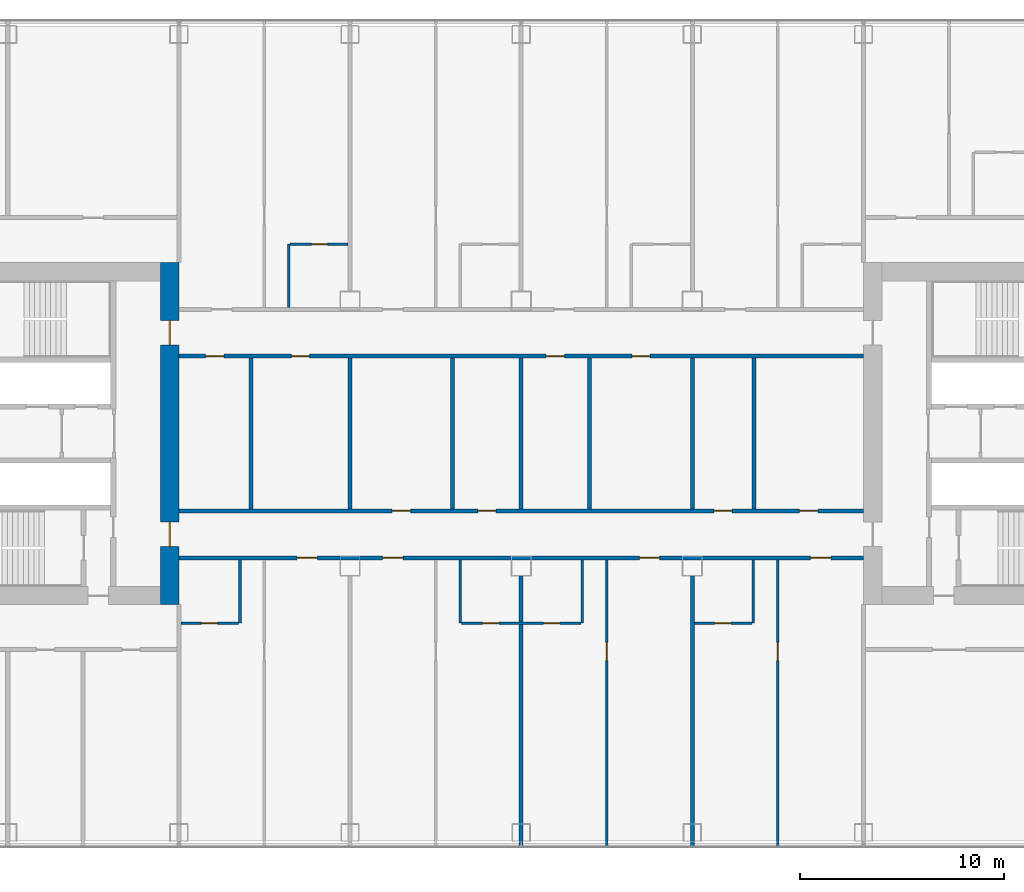
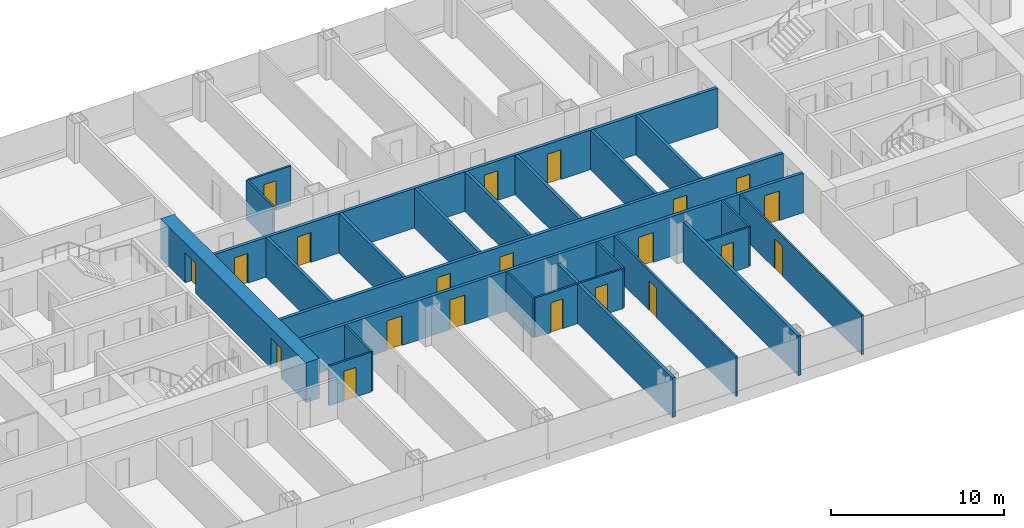
# One storey, part 15 of 28: 24 walls, 21 doors, 21 openings.
"""IFC4 building model written with IfcOpenShell, lengths in metres."""

from ifc_helpers import new_model, si_unit, direction, frame, frame_2d, origin, place, context, subcontext, project, spatial, rectangle, extrude, material, layer, layer_set, type_object, element, fill, save


model = new_model("IFC4")

# Units and contexts
model_context = context("Model", 3, precision=1e-05, world=origin(), true_north=direction((0.0, 1.0)))
body_context = subcontext(model_context, "Body", "Model", "MODEL_VIEW")
ifc_project = project(units=[si_unit("LENGTHUNIT", "METRE"), si_unit("AREAUNIT", "SQUARE_METRE"), si_unit("VOLUMEUNIT", "CUBIC_METRE"), si_unit("PLANEANGLEUNIT", "RADIAN"), si_unit("MASSUNIT", "GRAM", prefix="KILO")], contexts=[model_context])

# Site, building, storey
site_placement = place(None, origin())
site = spatial("IfcSite", under=ifc_project, at=site_placement, CompositionType="ELEMENT")
building_placement = place(site_placement, origin())
building = spatial("IfcBuilding", under=site, at=building_placement, Name="Hakoniwa Tower and Hamabe Station Hall", CompositionType="ELEMENT")
storey_placement = place(building_placement, frame((0.0, 0.0, 48.60009765625)))
storey = spatial("IfcBuildingStorey", under=building, at=storey_placement, Name="L13", CompositionType="ELEMENT", Elevation=48.60009765625)

# Wall, opening, door
ifc_material_1 = material(Name="Gypsum board partition", Category="gypsum")
ifc_layer_1 = layer(ifc_material_1, 0.125)
ifc_layer_set_1 = layer_set([ifc_layer_1], Name="Bathroom Partition 125")
wall_type_1 = type_object("IfcWallType", Name="Bathroom Partition 125", PredefinedType="PARTITIONING", material=ifc_layer_set_1)
wall_1_placement = place(storey_placement, frame((-16.699951171875, -9.300048828125, 0.0), z_axis=(0.0, 0.0, 1.0), x_axis=(1.0, 0.0, 0.0)))
wall_1 = element("IfcWall", 1, at=wall_1_placement, inside=storey, type_object=wall_type_1, Name="GW-L13-003", PredefinedType="PARTITIONING", context=body_context, shape_type="SweptSolid", body=[
    extrude(rectangle(XDim=2.83740234375, YDim=0.125, at=frame_2d((1.418701171875, 0.0))), origin(), (0.0, 0.0, 1.0), 2.7998046875),
])
opening_1_placement = place(wall_1_placement, frame((1.0, 0.0, 0.0)))
opening_1 = element("IfcOpeningElement", 2, at=opening_1_placement, cuts=wall_1, Name="Opening GD-G1E1-12", PredefinedType="OPENING", context=body_context, shape_type="SweptSolid", body=[
    extrude(rectangle(XDim=0.800048828125, YDim=2.10009765625, at=frame_2d((0.39990234375, 1.050048828125))), frame((0.0, 0.072509765625, 0.0), z_axis=(0.0, -1.0, 0.0), x_axis=(1.0, 0.0, 0.0)), (0.0, 0.0, 1.0), 0.14501953125),
])
ifc_material_2 = material(Name="Timber door leaf", Category="wood")
door_type_1 = type_object("IfcDoorType", Name="Bathroom Door 800", OperationType="SINGLE_SWING_LEFT", PredefinedType="DOOR", material=ifc_material_2)
door_1_placement = place(opening_1_placement, origin())
door_1 = element("IfcDoor", 3, at=door_1_placement, inside=storey, type_object=door_type_1, Name="Door GD-G1E1-12", OperationType="SINGLE_SWING_LEFT", OverallHeight=2.10009765625, OverallWidth=0.800048828125, PredefinedType="DOOR", context=body_context, shape_type="SweptSolid", body=[
    extrude(rectangle(XDim=0.800048828125, YDim=2.10009765625, at=frame_2d((0.39990234375, 1.050048828125))), frame((0.0, 0.02490234375, 0.0), z_axis=(0.0, -1.0, 0.0), x_axis=(1.0, 0.0, 0.0)), (0.0, 0.0, 1.0), 0.050048828125),
])
fill(opening_1, door_1)

# Wall, openings, doors
wall_2_placement = place(storey_placement, frame((-2.9375, -9.300048828125, 0.0), z_axis=(0.0, 0.0, 1.0), x_axis=(1.0, 0.0, 0.0)))
wall_2 = element("IfcWall", 4, at=wall_2_placement, inside=storey, type_object=wall_type_1, Name="GW-L13-004", PredefinedType="PARTITIONING", context=body_context, shape_type="SweptSolid", body=[
    extrude(rectangle(XDim=5.875, YDim=0.125, at=frame_2d((2.9375, 0.0))), origin(), (0.0, 0.0, 1.0), 2.7998046875),
])
opening_2_placement = place(wall_2_placement, frame((1.03759765625, 0.0, 0.0)))
opening_2 = element("IfcOpeningElement", 5, at=opening_2_placement, cuts=wall_2, Name="Opening GD-G1E1-13", PredefinedType="OPENING", context=body_context, shape_type="SweptSolid", body=[
    extrude(rectangle(XDim=0.800048828125, YDim=2.10009765625, at=frame_2d((0.39990234375, 1.050048828125))), frame((0.0, 0.072509765625, 0.0), z_axis=(0.0, -1.0, 0.0), x_axis=(1.0, 0.0, 0.0)), (0.0, 0.0, 1.0), 0.14501953125),
])
opening_3_placement = place(wall_2_placement, frame((4.03759765625, 0.0, 0.0)))
opening_3 = element("IfcOpeningElement", 6, at=opening_3_placement, cuts=wall_2, Name="Opening GD-G1E1-14", PredefinedType="OPENING", context=body_context, shape_type="SweptSolid", body=[
    extrude(rectangle(XDim=0.800048828125, YDim=2.10009765625, at=frame_2d((0.39990234375, 1.050048828125))), frame((0.0, 0.072509765625, 0.0), z_axis=(0.0, -1.0, 0.0), x_axis=(1.0, 0.0, 0.0)), (0.0, 0.0, 1.0), 0.14501953125),
])
door_2_placement = place(opening_2_placement, origin())
door_2 = element("IfcDoor", 7, at=door_2_placement, inside=storey, type_object=door_type_1, Name="Door GD-G1E1-13", OperationType="SINGLE_SWING_RIGHT", OverallHeight=2.10009765625, OverallWidth=0.800048828125, PredefinedType="DOOR", context=body_context, shape_type="SweptSolid", body=[
    extrude(rectangle(XDim=0.800048828125, YDim=2.10009765625, at=frame_2d((0.39990234375, 1.050048828125))), frame((0.0, 0.02490234375, 0.0), z_axis=(0.0, -1.0, 0.0), x_axis=(1.0, 0.0, 0.0)), (0.0, 0.0, 1.0), 0.050048828125),
])
fill(opening_2, door_2)
door_3_placement = place(opening_3_placement, origin())
door_3 = element("IfcDoor", 8, at=door_3_placement, inside=storey, type_object=door_type_1, Name="Door GD-G1E1-14", OperationType="SINGLE_SWING_LEFT", OverallHeight=2.10009765625, OverallWidth=0.800048828125, PredefinedType="DOOR", context=body_context, shape_type="SweptSolid", body=[
    extrude(rectangle(XDim=0.800048828125, YDim=2.10009765625, at=frame_2d((0.39990234375, 1.050048828125))), frame((0.0, 0.02490234375, 0.0), z_axis=(0.0, -1.0, 0.0), x_axis=(1.0, 0.0, 0.0)), (0.0, 0.0, 1.0), 0.050048828125),
])
fill(opening_3, door_3)

# Wall, opening, door
wall_3_placement = place(storey_placement, frame((8.5, -9.300048828125, 0.0), z_axis=(0.0, 0.0, 1.0), x_axis=(1.0, 0.0, 0.0)))
wall_3 = element("IfcWall", 9, at=wall_3_placement, inside=storey, type_object=wall_type_1, Name="GW-L13-005", PredefinedType="PARTITIONING", context=body_context, shape_type="SweptSolid", body=[
    extrude(rectangle(XDim=2.83740234375, YDim=0.125, at=frame_2d((1.418701171875, 0.0))), origin(), (0.0, 0.0, 1.0), 2.7998046875),
])
opening_4_placement = place(wall_3_placement, frame((1.0, 0.0, 0.0)))
opening_4 = element("IfcOpeningElement", 10, at=opening_4_placement, cuts=wall_3, Name="Opening GD-G1E1-15", PredefinedType="OPENING", context=body_context, shape_type="SweptSolid", body=[
    extrude(rectangle(XDim=0.800048828125, YDim=2.10009765625, at=frame_2d((0.39990234375, 1.050048828125))), frame((0.0, 0.072509765625, 0.0), z_axis=(0.0, -1.0, 0.0), x_axis=(1.0, 0.0, 0.0)), (0.0, 0.0, 1.0), 0.14501953125),
])
door_4_placement = place(opening_4_placement, origin())
door_4 = element("IfcDoor", 11, at=door_4_placement, inside=storey, type_object=door_type_1, Name="Door GD-G1E1-15", OperationType="SINGLE_SWING_RIGHT", OverallHeight=2.10009765625, OverallWidth=0.800048828125, PredefinedType="DOOR", context=body_context, shape_type="SweptSolid", body=[
    extrude(rectangle(XDim=0.800048828125, YDim=2.10009765625, at=frame_2d((0.39990234375, 1.050048828125))), frame((0.0, 0.02490234375, 0.0), z_axis=(0.0, -1.0, 0.0), x_axis=(1.0, 0.0, 0.0)), (0.0, 0.0, 1.0), 0.050048828125),
])
fill(opening_4, door_4)

wall_4_placement = place(storey_placement, frame((-11.33740234375, 9.300048828125, 0.0), z_axis=(0.0, 0.0, 1.0), x_axis=(1.0, 0.0, 0.0)))
wall_4 = element("IfcWall", 12, at=wall_4_placement, inside=storey, type_object=wall_type_1, Name="GW-L13-023", PredefinedType="PARTITIONING", context=body_context, shape_type="SweptSolid", body=[
    extrude(rectangle(XDim=2.83740234375, YDim=0.125, at=frame_2d((1.418701171875, 0.0))), origin(), (0.0, 0.0, 1.0), 2.7998046875),
])
opening_5_placement = place(wall_4_placement, frame((1.03759765625, 0.0, 0.0)))
opening_5 = element("IfcOpeningElement", 13, at=opening_5_placement, cuts=wall_4, Name="Opening GD-G1E1-47", PredefinedType="OPENING", context=body_context, shape_type="SweptSolid", body=[
    extrude(rectangle(XDim=0.800048828125, YDim=2.10009765625, at=frame_2d((0.39990234375, 1.050048828125))), frame((0.0, 0.072509765625, 0.0), z_axis=(0.0, -1.0, 0.0), x_axis=(1.0, 0.0, 0.0)), (0.0, 0.0, 1.0), 0.14501953125),
])
door_5_placement = place(opening_5_placement, origin())
door_5 = element("IfcDoor", 14, at=door_5_placement, inside=storey, type_object=door_type_1, Name="Door GD-G1E1-47", OperationType="SINGLE_SWING_RIGHT", OverallHeight=2.10009765625, OverallWidth=0.800048828125, PredefinedType="DOOR", context=body_context, shape_type="SweptSolid", body=[
    extrude(rectangle(XDim=0.800048828125, YDim=2.10009765625, at=frame_2d((0.39990234375, 1.050048828125))), frame((0.0, 0.02490234375, 0.0), z_axis=(0.0, -1.0, 0.0), x_axis=(1.0, 0.0, 0.0)), (0.0, 0.0, 1.0), 0.050048828125),
])
fill(opening_5, door_5)

# Walls
for number, where, z_axis, x_axis, name in (
    (15, (-13.800048828125, -9.300048828125, 0.0), (0.0, 0.0, 1.0), (0.0, 1.0, 0.0), "GW-L13-051"),
    (16, (-11.39990234375, 6.199951171875, 0.0), (0.0, 0.0, 1.0), (0.0, 1.0, 0.0), "GW-L13-055"),
    (17, (-3.0, -9.300048828125, 0.0), (0.0, 0.0, 1.0), (0.0, 1.0, 0.0), "GW-L13-062"),
    (18, (3.0, -9.300048828125, 0.0), (0.0, 0.0, 1.0), (0.0, 1.0, 0.0), "GW-L13-067"),
    (19, (11.39990234375, -9.300048828125, 0.0), (0.0, 0.0, 1.0), (0.0, 1.0, 0.0), "GW-L13-075"),
):
    element("IfcWall", number, at=place(storey_placement, frame(where, z_axis=z_axis, x_axis=x_axis)), inside=storey, type_object=wall_type_1, Name=name, PredefinedType="PARTITIONING", context=body_context, shape_type="SweptSolid", body=[
        extrude(rectangle(XDim=3.10009765625, YDim=0.125, at=frame_2d((1.550048828125, 0.0))), origin(), (0.0, 0.0, 1.0), 2.7998046875),
    ])

# Wall, openings, doors
ifc_material_3 = material(Name="Concrete C80", Category="concrete")
ifc_layer_2 = layer(ifc_material_3, 0.89990234375)
ifc_layer_set_2 = layer_set([ifc_layer_2], Name="CORE WALL 900 C80")
wall_type_2 = type_object("IfcWallType", Name="CORE WALL 900 C80", PredefinedType="SHEAR", material=ifc_layer_set_2)
wall_5_placement = place(storey_placement, frame((-17.25, -8.39990234375, 0.0), z_axis=(0.0, 0.0, 1.0), x_axis=(0.0, 1.0, 0.0)))
wall_5 = element("IfcWall", 20, at=wall_5_placement, inside=storey, type_object=wall_type_2, Name="Core wall INNER west", PredefinedType="SHEAR", context=body_context, shape_type="SweptSolid", body=[
    extrude(rectangle(XDim=16.7998046875, YDim=0.89990234375, at=frame_2d((8.39990234375, 0.0))), origin(), (0.0, 0.0, 1.0), 2.7998046875),
])
opening_6_placement = place(wall_5_placement, frame((12.75, 0.0, 0.0)))
opening_6 = element("IfcOpeningElement", 21, at=opening_6_placement, cuts=wall_5, Name="Opening CD-W-IN1-12", PredefinedType="OPENING", context=body_context, shape_type="SweptSolid", body=[
    extrude(rectangle(XDim=1.199951171875, YDim=2.10009765625, at=frame_2d((0.60009765625, 1.050048828125))), frame((0.0, 0.4599609375, 0.0), z_axis=(0.0, -1.0, 0.0), x_axis=(1.0, 0.0, 0.0)), (0.0, 0.0, 1.0), 0.919921875),
])
opening_7_placement = place(wall_5_placement, frame((2.85009765625, 0.0, 0.0)))
opening_7 = element("IfcOpeningElement", 22, at=opening_7_placement, cuts=wall_5, Name="Opening CD-W-IN2-12", PredefinedType="OPENING", context=body_context, shape_type="SweptSolid", body=[
    extrude(rectangle(XDim=1.199951171875, YDim=2.10009765625, at=frame_2d((0.60009765625, 1.050048828125))), frame((0.0, 0.4599609375, 0.0), z_axis=(0.0, -1.0, 0.0), x_axis=(1.0, 0.0, 0.0)), (0.0, 0.0, 1.0), 0.919921875),
])
ifc_material_4 = material(Name="Steel fire door", Category="steel")
door_type_2 = type_object("IfcDoorType", Name="CORE DOOR 1200 FD60", OperationType="DOUBLE_DOOR_SINGLE_SWING", PredefinedType="DOOR", material=ifc_material_4)
door_6_placement = place(opening_6_placement, origin())
door_6 = element("IfcDoor", 23, at=door_6_placement, inside=storey, type_object=door_type_2, Name="Lift lobby door", OperationType="DOUBLE_DOOR_SINGLE_SWING", OverallHeight=2.10009765625, OverallWidth=1.199951171875, PredefinedType="DOOR", context=body_context, shape_type="SweptSolid", body=[
    extrude(rectangle(XDim=1.199951171875, YDim=2.10009765625, at=frame_2d((0.60009765625, 1.050048828125))), frame((0.0, 0.02490234375, 0.0), z_axis=(0.0, -1.0, 0.0), x_axis=(1.0, 0.0, 0.0)), (0.0, 0.0, 1.0), 0.050048828125),
])
fill(opening_6, door_6)
door_7_placement = place(opening_7_placement, origin())
door_7 = element("IfcDoor", 24, at=door_7_placement, inside=storey, type_object=door_type_2, Name="Lift lobby door", OperationType="DOUBLE_DOOR_SINGLE_SWING", OverallHeight=2.10009765625, OverallWidth=1.199951171875, PredefinedType="DOOR", context=body_context, shape_type="SweptSolid", body=[
    extrude(rectangle(XDim=1.199951171875, YDim=2.10009765625, at=frame_2d((0.60009765625, 1.050048828125))), frame((0.0, 0.02490234375, 0.0), z_axis=(0.0, -1.0, 0.0), x_axis=(1.0, 0.0, 0.0)), (0.0, 0.0, 1.0), 0.050048828125),
])
fill(opening_7, door_7)

ifc_material_5 = material(Name="Fire-rated gypsum board partition", Category="gypsum")
ifc_layer_3 = layer(ifc_material_5, 0.199951171875)
ifc_layer_set_3 = layer_set([ifc_layer_3], Name="Corridor Wall 200")
wall_type_3 = type_object("IfcWallType", Name="Corridor Wall 200", PredefinedType="PARTITIONING", material=ifc_layer_set_3)
wall_6_placement = place(storey_placement, frame((-16.800048828125, -6.10009765625, 0.0), z_axis=(0.0, 0.0, 1.0), x_axis=(1.0, 0.0, 0.0)))
wall_6 = element("IfcWall", 25, at=wall_6_placement, inside=storey, type_object=wall_type_3, Name="GW-L13-008", PredefinedType="PARTITIONING", context=body_context, shape_type="SweptSolid", body=[
    extrude(rectangle(XDim=33.60009765625, YDim=0.199951171875, at=frame_2d((16.800048828125, 0.0))), origin(), (0.0, 0.0, 1.0), 2.7998046875),
])
opening_8_placement = place(wall_6_placement, frame((5.800048828125, 0.0, 0.0)))
opening_8 = element("IfcOpeningElement", 26, at=opening_8_placement, cuts=wall_6, Name="Opening GD-G1E1-20", PredefinedType="OPENING", context=body_context, shape_type="SweptSolid", body=[
    extrude(rectangle(XDim=1.0, YDim=2.10009765625, at=frame_2d((0.5, 1.050048828125))), frame((0.0, 0.10986328125, 0.0), z_axis=(0.0, -1.0, 0.0), x_axis=(1.0, 0.0, 0.0)), (0.0, 0.0, 1.0), 0.219970703125),
])
opening_9_placement = place(wall_6_placement, frame((10.0, 0.0, 0.0)))
opening_9 = element("IfcOpeningElement", 27, at=opening_9_placement, cuts=wall_6, Name="Opening GD-G1E1-21", PredefinedType="OPENING", context=body_context, shape_type="SweptSolid", body=[
    extrude(rectangle(XDim=1.0, YDim=2.10009765625, at=frame_2d((0.5, 1.050048828125))), frame((0.0, 0.10986328125, 0.0), z_axis=(0.0, -1.0, 0.0), x_axis=(1.0, 0.0, 0.0)), (0.0, 0.0, 1.0), 0.219970703125),
])
opening_10_placement = place(wall_6_placement, frame((22.60009765625, 0.0, 0.0)))
opening_10 = element("IfcOpeningElement", 28, at=opening_10_placement, cuts=wall_6, Name="Opening GD-G1E1-22", PredefinedType="OPENING", context=body_context, shape_type="SweptSolid", body=[
    extrude(rectangle(XDim=1.0, YDim=2.10009765625, at=frame_2d((0.5, 1.050048828125))), frame((0.0, 0.10986328125, 0.0), z_axis=(0.0, -1.0, 0.0), x_axis=(1.0, 0.0, 0.0)), (0.0, 0.0, 1.0), 0.219970703125),
])
opening_11_placement = place(wall_6_placement, frame((31.0, 0.0, 0.0)))
opening_11 = element("IfcOpeningElement", 29, at=opening_11_placement, cuts=wall_6, Name="Opening GD-G1E1-23", PredefinedType="OPENING", context=body_context, shape_type="SweptSolid", body=[
    extrude(rectangle(XDim=1.0, YDim=2.10009765625, at=frame_2d((0.5, 1.050048828125))), frame((0.0, 0.10986328125, 0.0), z_axis=(0.0, -1.0, 0.0), x_axis=(1.0, 0.0, 0.0)), (0.0, 0.0, 1.0), 0.219970703125),
])
ifc_material_6 = material(Name="Timber door leaf", Category="wood")
door_type_3 = type_object("IfcDoorType", Name="Guest Entrance Door 1000", OperationType="SINGLE_SWING_LEFT", PredefinedType="DOOR", material=ifc_material_6)
door_8_placement = place(opening_8_placement, origin())
door_8 = element("IfcDoor", 30, at=door_8_placement, inside=storey, type_object=door_type_3, Name="Door GD-G1E1-20", OperationType="SINGLE_SWING_LEFT", OverallHeight=2.10009765625, OverallWidth=1.0, PredefinedType="DOOR", context=body_context, shape_type="SweptSolid", body=[
    extrude(rectangle(XDim=1.0, YDim=2.10009765625, at=frame_2d((0.5, 1.050048828125))), frame((0.0, 0.02490234375, 0.0), z_axis=(0.0, -1.0, 0.0), x_axis=(1.0, 0.0, 0.0)), (0.0, 0.0, 1.0), 0.050048828125),
])
fill(opening_8, door_8)
door_9_placement = place(opening_9_placement, origin())
door_9 = element("IfcDoor", 31, at=door_9_placement, inside=storey, type_object=door_type_3, Name="Door GD-G1E1-21", OperationType="SINGLE_SWING_RIGHT", OverallHeight=2.10009765625, OverallWidth=1.0, PredefinedType="DOOR", context=body_context, shape_type="SweptSolid", body=[
    extrude(rectangle(XDim=1.0, YDim=2.10009765625, at=frame_2d((0.5, 1.050048828125))), frame((0.0, 0.02490234375, 0.0), z_axis=(0.0, -1.0, 0.0), x_axis=(1.0, 0.0, 0.0)), (0.0, 0.0, 1.0), 0.050048828125),
])
fill(opening_9, door_9)
door_10_placement = place(opening_10_placement, origin())
door_10 = element("IfcDoor", 32, at=door_10_placement, inside=storey, type_object=door_type_3, Name="Door GD-G1E1-22", OperationType="SINGLE_SWING_LEFT", OverallHeight=2.10009765625, OverallWidth=1.0, PredefinedType="DOOR", context=body_context, shape_type="SweptSolid", body=[
    extrude(rectangle(XDim=1.0, YDim=2.10009765625, at=frame_2d((0.5, 1.050048828125))), frame((0.0, 0.02490234375, 0.0), z_axis=(0.0, -1.0, 0.0), x_axis=(1.0, 0.0, 0.0)), (0.0, 0.0, 1.0), 0.050048828125),
])
fill(opening_10, door_10)
door_11_placement = place(opening_11_placement, origin())
door_11 = element("IfcDoor", 33, at=door_11_placement, inside=storey, type_object=door_type_3, Name="Door GD-G1E1-23", OperationType="SINGLE_SWING_LEFT", OverallHeight=2.10009765625, OverallWidth=1.0, PredefinedType="DOOR", context=body_context, shape_type="SweptSolid", body=[
    extrude(rectangle(XDim=1.0, YDim=2.10009765625, at=frame_2d((0.5, 1.050048828125))), frame((0.0, 0.02490234375, 0.0), z_axis=(0.0, -1.0, 0.0), x_axis=(1.0, 0.0, 0.0)), (0.0, 0.0, 1.0), 0.050048828125),
])
fill(opening_11, door_11)

wall_7_placement = place(storey_placement, frame((-16.800048828125, -3.800048828125, 0.0), z_axis=(0.0, 0.0, 1.0), x_axis=(1.0, 0.0, 0.0)))
wall_7 = element("IfcWall", 34, at=wall_7_placement, inside=storey, type_object=wall_type_3, Name="GW-L13-013", PredefinedType="PARTITIONING", context=body_context, shape_type="SweptSolid", body=[
    extrude(rectangle(XDim=33.60009765625, YDim=0.199951171875, at=frame_2d((16.800048828125, 0.0))), origin(), (0.0, 0.0, 1.0), 2.7998046875),
])
opening_12_placement = place(wall_7_placement, frame((10.469970703125, 0.0, 0.0)))
opening_12 = element("IfcOpeningElement", 35, at=opening_12_placement, cuts=wall_7, Name="Opening GD-G1E1-27", PredefinedType="OPENING", context=body_context, shape_type="SweptSolid", body=[
    extrude(rectangle(XDim=0.89990234375, YDim=2.10009765625, at=frame_2d((0.449951171875, 1.050048828125))), frame((0.0, 0.10986328125, 0.0), z_axis=(0.0, -1.0, 0.0), x_axis=(1.0, 0.0, 0.0)), (0.0, 0.0, 1.0), 0.219970703125),
])
opening_13_placement = place(wall_7_placement, frame((14.669921875, 0.0, 0.0)))
opening_13 = element("IfcOpeningElement", 36, at=opening_13_placement, cuts=wall_7, Name="Opening GD-G1E1-28", PredefinedType="OPENING", context=body_context, shape_type="SweptSolid", body=[
    extrude(rectangle(XDim=0.89990234375, YDim=2.10009765625, at=frame_2d((0.449951171875, 1.050048828125))), frame((0.0, 0.10986328125, 0.0), z_axis=(0.0, -1.0, 0.0), x_axis=(1.0, 0.0, 0.0)), (0.0, 0.0, 1.0), 0.219970703125),
])
opening_14_placement = place(wall_7_placement, frame((26.260009765625, 0.0, 0.0)))
opening_14 = element("IfcOpeningElement", 37, at=opening_14_placement, cuts=wall_7, Name="Opening GD-G1E1-29", PredefinedType="OPENING", context=body_context, shape_type="SweptSolid", body=[
    extrude(rectangle(XDim=0.89990234375, YDim=2.10009765625, at=frame_2d((0.449951171875, 1.050048828125))), frame((0.0, 0.10986328125, 0.0), z_axis=(0.0, -1.0, 0.0), x_axis=(1.0, 0.0, 0.0)), (0.0, 0.0, 1.0), 0.219970703125),
])
opening_15_placement = place(wall_7_placement, frame((30.4599609375, 0.0, 0.0)))
opening_15 = element("IfcOpeningElement", 38, at=opening_15_placement, cuts=wall_7, Name="Opening GD-G1E1-30", PredefinedType="OPENING", context=body_context, shape_type="SweptSolid", body=[
    extrude(rectangle(XDim=0.89990234375, YDim=2.10009765625, at=frame_2d((0.449951171875, 1.050048828125))), frame((0.0, 0.10986328125, 0.0), z_axis=(0.0, -1.0, 0.0), x_axis=(1.0, 0.0, 0.0)), (0.0, 0.0, 1.0), 0.219970703125),
])
ifc_material_7 = material(Name="Timber door leaf", Category="wood")
door_type_4 = type_object("IfcDoorType", Name="Service Door 900", OperationType="SINGLE_SWING_LEFT", PredefinedType="DOOR", material=ifc_material_7)
door_12_placement = place(opening_12_placement, origin())
door_12 = element("IfcDoor", 39, at=door_12_placement, inside=storey, type_object=door_type_4, Name="Door GD-G1E1-27", OperationType="SINGLE_SWING_LEFT", OverallHeight=2.10009765625, OverallWidth=0.89990234375, PredefinedType="DOOR", context=body_context, shape_type="SweptSolid", body=[
    extrude(rectangle(XDim=0.89990234375, YDim=2.10009765625, at=frame_2d((0.449951171875, 1.050048828125))), frame((0.0, 0.02490234375, 0.0), z_axis=(0.0, -1.0, 0.0), x_axis=(1.0, 0.0, 0.0)), (0.0, 0.0, 1.0), 0.050048828125),
])
fill(opening_12, door_12)
door_13_placement = place(opening_13_placement, origin())
door_13 = element("IfcDoor", 40, at=door_13_placement, inside=storey, type_object=door_type_4, Name="Door GD-G1E1-28", OperationType="SINGLE_SWING_RIGHT", OverallHeight=2.10009765625, OverallWidth=0.89990234375, PredefinedType="DOOR", context=body_context, shape_type="SweptSolid", body=[
    extrude(rectangle(XDim=0.89990234375, YDim=2.10009765625, at=frame_2d((0.449951171875, 1.050048828125))), frame((0.0, 0.02490234375, 0.0), z_axis=(0.0, -1.0, 0.0), x_axis=(1.0, 0.0, 0.0)), (0.0, 0.0, 1.0), 0.050048828125),
])
fill(opening_13, door_13)
door_14_placement = place(opening_14_placement, origin())
door_14 = element("IfcDoor", 41, at=door_14_placement, inside=storey, type_object=door_type_4, Name="Door GD-G1E1-29", OperationType="SINGLE_SWING_LEFT", OverallHeight=2.10009765625, OverallWidth=0.89990234375, PredefinedType="DOOR", context=body_context, shape_type="SweptSolid", body=[
    extrude(rectangle(XDim=0.89990234375, YDim=2.10009765625, at=frame_2d((0.449951171875, 1.050048828125))), frame((0.0, 0.02490234375, 0.0), z_axis=(0.0, -1.0, 0.0), x_axis=(1.0, 0.0, 0.0)), (0.0, 0.0, 1.0), 0.050048828125),
])
fill(opening_14, door_14)
door_15_placement = place(opening_15_placement, origin())
door_15 = element("IfcDoor", 42, at=door_15_placement, inside=storey, type_object=door_type_4, Name="Door GD-G1E1-30", OperationType="SINGLE_SWING_LEFT", OverallHeight=2.10009765625, OverallWidth=0.89990234375, PredefinedType="DOOR", context=body_context, shape_type="SweptSolid", body=[
    extrude(rectangle(XDim=0.89990234375, YDim=2.10009765625, at=frame_2d((0.449951171875, 1.050048828125))), frame((0.0, 0.02490234375, 0.0), z_axis=(0.0, -1.0, 0.0), x_axis=(1.0, 0.0, 0.0)), (0.0, 0.0, 1.0), 0.050048828125),
])
fill(opening_15, door_15)

wall_8_placement = place(storey_placement, frame((-16.800048828125, 3.800048828125, 0.0), z_axis=(0.0, 0.0, 1.0), x_axis=(1.0, 0.0, 0.0)))
wall_8 = element("IfcWall", 43, at=wall_8_placement, inside=storey, type_object=wall_type_3, Name="GW-L13-016", PredefinedType="PARTITIONING", context=body_context, shape_type="SweptSolid", body=[
    extrude(rectangle(XDim=33.60009765625, YDim=0.199951171875, at=frame_2d((16.800048828125, 0.0))), origin(), (0.0, 0.0, 1.0), 2.7998046875),
])
opening_16_placement = place(wall_8_placement, frame((1.31494140625, 0.0, 0.0)))
opening_16 = element("IfcOpeningElement", 44, at=opening_16_placement, cuts=wall_8, Name="Opening GD-G1E1-31", PredefinedType="OPENING", context=body_context, shape_type="SweptSolid", body=[
    extrude(rectangle(XDim=0.89990234375, YDim=2.10009765625, at=frame_2d((0.449951171875, 1.050048828125))), frame((0.0, 0.10986328125, 0.0), z_axis=(0.0, -1.0, 0.0), x_axis=(1.0, 0.0, 0.0)), (0.0, 0.0, 1.0), 0.219970703125),
])
opening_17_placement = place(wall_8_placement, frame((5.514892578125, 0.0, 0.0)))
opening_17 = element("IfcOpeningElement", 45, at=opening_17_placement, cuts=wall_8, Name="Opening GD-G1E1-32", PredefinedType="OPENING", context=body_context, shape_type="SweptSolid", body=[
    extrude(rectangle(XDim=0.89990234375, YDim=2.10009765625, at=frame_2d((0.449951171875, 1.050048828125))), frame((0.0, 0.10986328125, 0.0), z_axis=(0.0, -1.0, 0.0), x_axis=(1.0, 0.0, 0.0)), (0.0, 0.0, 1.0), 0.219970703125),
])
opening_18_placement = place(wall_8_placement, frame((18.030029296875, 0.0, 0.0)))
opening_18 = element("IfcOpeningElement", 46, at=opening_18_placement, cuts=wall_8, Name="Opening GD-G1E1-33", PredefinedType="OPENING", context=body_context, shape_type="SweptSolid", body=[
    extrude(rectangle(XDim=0.89990234375, YDim=2.10009765625, at=frame_2d((0.449951171875, 1.050048828125))), frame((0.0, 0.10986328125, 0.0), z_axis=(0.0, -1.0, 0.0), x_axis=(1.0, 0.0, 0.0)), (0.0, 0.0, 1.0), 0.219970703125),
])
opening_19_placement = place(wall_8_placement, frame((22.22998046875, 0.0, 0.0)))
opening_19 = element("IfcOpeningElement", 47, at=opening_19_placement, cuts=wall_8, Name="Opening GD-G1E1-34", PredefinedType="OPENING", context=body_context, shape_type="SweptSolid", body=[
    extrude(rectangle(XDim=0.89990234375, YDim=2.10009765625, at=frame_2d((0.449951171875, 1.050048828125))), frame((0.0, 0.10986328125, 0.0), z_axis=(0.0, -1.0, 0.0), x_axis=(1.0, 0.0, 0.0)), (0.0, 0.0, 1.0), 0.219970703125),
])
door_16_placement = place(opening_16_placement, origin())
door_16 = element("IfcDoor", 48, at=door_16_placement, inside=storey, type_object=door_type_4, Name="Door GD-G1E1-31", OperationType="SINGLE_SWING_RIGHT", OverallHeight=2.10009765625, OverallWidth=0.89990234375, PredefinedType="DOOR", context=body_context, shape_type="SweptSolid", body=[
    extrude(rectangle(XDim=0.89990234375, YDim=2.10009765625, at=frame_2d((0.449951171875, 1.050048828125))), frame((0.0, 0.02490234375, 0.0), z_axis=(0.0, -1.0, 0.0), x_axis=(1.0, 0.0, 0.0)), (0.0, 0.0, 1.0), 0.050048828125),
])
fill(opening_16, door_16)
door_17_placement = place(opening_17_placement, origin())
door_17 = element("IfcDoor", 49, at=door_17_placement, inside=storey, type_object=door_type_4, Name="Door GD-G1E1-32", OperationType="SINGLE_SWING_RIGHT", OverallHeight=2.10009765625, OverallWidth=0.89990234375, PredefinedType="DOOR", context=body_context, shape_type="SweptSolid", body=[
    extrude(rectangle(XDim=0.89990234375, YDim=2.10009765625, at=frame_2d((0.449951171875, 1.050048828125))), frame((0.0, 0.02490234375, 0.0), z_axis=(0.0, -1.0, 0.0), x_axis=(1.0, 0.0, 0.0)), (0.0, 0.0, 1.0), 0.050048828125),
])
fill(opening_17, door_17)
door_18_placement = place(opening_18_placement, origin())
door_18 = element("IfcDoor", 50, at=door_18_placement, inside=storey, type_object=door_type_4, Name="Door GD-G1E1-33", OperationType="SINGLE_SWING_LEFT", OverallHeight=2.10009765625, OverallWidth=0.89990234375, PredefinedType="DOOR", context=body_context, shape_type="SweptSolid", body=[
    extrude(rectangle(XDim=0.89990234375, YDim=2.10009765625, at=frame_2d((0.449951171875, 1.050048828125))), frame((0.0, 0.02490234375, 0.0), z_axis=(0.0, -1.0, 0.0), x_axis=(1.0, 0.0, 0.0)), (0.0, 0.0, 1.0), 0.050048828125),
])
fill(opening_18, door_18)
door_19_placement = place(opening_19_placement, origin())
door_19 = element("IfcDoor", 51, at=door_19_placement, inside=storey, type_object=door_type_4, Name="Door GD-G1E1-34", OperationType="SINGLE_SWING_RIGHT", OverallHeight=2.10009765625, OverallWidth=0.89990234375, PredefinedType="DOOR", context=body_context, shape_type="SweptSolid", body=[
    extrude(rectangle(XDim=0.89990234375, YDim=2.10009765625, at=frame_2d((0.449951171875, 1.050048828125))), frame((0.0, 0.02490234375, 0.0), z_axis=(0.0, -1.0, 0.0), x_axis=(1.0, 0.0, 0.0)), (0.0, 0.0, 1.0), 0.050048828125),
])
fill(opening_19, door_19)

# Walls
ifc_material_8 = material(Name="Fire-rated gypsum board partition", Category="gypsum")
ifc_layer_4 = layer(ifc_material_8, 0.199951171875)
ifc_layer_set_4 = layer_set([ifc_layer_4], Name="Party Wall 200")
wall_type_4 = type_object("IfcWallType", Name="Party Wall 200", PredefinedType="PARTITIONING", material=ifc_layer_set_4)
for number, where, z_axis, x_axis, name in (
    (52, (-13.27001953125, -3.699951171875, 0.0), (0.0, 0.0, 1.0), (0.0, 1.0, 0.0), "GW-L13-052"),
    (53, (-8.39990234375, -3.699951171875, 0.0), (0.0, 0.0, 1.0), (0.0, 1.0, 0.0), "GW-L13-057"),
    (54, (-3.360107421875, -3.699951171875, 0.0), (0.0, 0.0, 1.0), (0.0, 1.0, 0.0), "GW-L13-061"),
):
    element("IfcWall", number, at=place(storey_placement, frame(where, z_axis=z_axis, x_axis=x_axis)), inside=storey, type_object=wall_type_4, Name=name, PredefinedType="PARTITIONING", context=body_context, shape_type="SweptSolid", body=[
        extrude(rectangle(XDim=7.39990234375, YDim=0.199951171875, at=frame_2d((3.699951171875, 0.0))), origin(), (0.0, 0.0, 1.0), 2.7998046875),
    ])
wall_9_placement = place(storey_placement, frame((0.0, -20.300048828125, 0.0), z_axis=(0.0, 0.0, 1.0), x_axis=(0.0, 1.0, 0.0)))
element("IfcWall", 55, at=wall_9_placement, inside=storey, type_object=wall_type_4, Name="GW-L13-064", PredefinedType="PARTITIONING", context=body_context, shape_type="SweptSolid", body=[
    extrude(rectangle(XDim=13.31005859375, YDim=0.199951171875, at=frame_2d((6.655029296875, 0.0))), origin(), (0.0, 0.0, 1.0), 2.7998046875),
])
for number, where, z_axis, x_axis, name in (
    (56, (0.0, -3.699951171875, 0.0), (0.0, 0.0, 1.0), (0.0, 1.0, 0.0), "GW-L13-065"),
    (57, (3.360107421875, -3.699951171875, 0.0), (0.0, 0.0, 1.0), (0.0, 1.0, 0.0), "GW-L13-068"),
):
    element("IfcWall", number, at=place(storey_placement, frame(where, z_axis=z_axis, x_axis=x_axis)), inside=storey, type_object=wall_type_4, Name=name, PredefinedType="PARTITIONING", context=body_context, shape_type="SweptSolid", body=[
        extrude(rectangle(XDim=7.39990234375, YDim=0.199951171875, at=frame_2d((3.699951171875, 0.0))), origin(), (0.0, 0.0, 1.0), 2.7998046875),
    ])
wall_10_placement = place(storey_placement, frame((8.39990234375, -20.300048828125, 0.0), z_axis=(0.0, 0.0, 1.0), x_axis=(0.0, 1.0, 0.0)))
element("IfcWall", 58, at=wall_10_placement, inside=storey, type_object=wall_type_4, Name="GW-L13-072", PredefinedType="PARTITIONING", context=body_context, shape_type="SweptSolid", body=[
    extrude(rectangle(XDim=13.31005859375, YDim=0.199951171875, at=frame_2d((6.655029296875, 0.0))), origin(), (0.0, 0.0, 1.0), 2.7998046875),
])
for number, where, z_axis, x_axis, name in (
    (59, (8.39990234375, -3.699951171875, 0.0), (0.0, 0.0, 1.0), (0.0, 1.0, 0.0), "GW-L13-073"),
    (60, (11.419921875, -3.699951171875, 0.0), (0.0, 0.0, 1.0), (0.0, 1.0, 0.0), "GW-L13-076"),
):
    element("IfcWall", number, at=place(storey_placement, frame(where, z_axis=z_axis, x_axis=x_axis)), inside=storey, type_object=wall_type_4, Name=name, PredefinedType="PARTITIONING", context=body_context, shape_type="SweptSolid", body=[
        extrude(rectangle(XDim=7.39990234375, YDim=0.199951171875, at=frame_2d((3.699951171875, 0.0))), origin(), (0.0, 0.0, 1.0), 2.7998046875),
    ])

# Wall, opening, door
ifc_material_9 = material(Name="Gypsum board partition", Category="gypsum")
ifc_layer_5 = layer(ifc_material_9, 0.125)
ifc_layer_set_5 = layer_set([ifc_layer_5], Name="Room Partition 125")
wall_type_5 = type_object("IfcWallType", Name="Room Partition 125", PredefinedType="PARTITIONING", material=ifc_layer_set_5)
wall_11_placement = place(storey_placement, frame((4.199951171875, -20.300048828125, 0.0), z_axis=(0.0, 0.0, 1.0), x_axis=(0.0, 1.0, 0.0)))
wall_11 = element("IfcWall", 61, at=wall_11_placement, inside=storey, type_object=wall_type_5, Name="GW-L13-069", PredefinedType="PARTITIONING", context=body_context, shape_type="SweptSolid", body=[
    extrude(rectangle(XDim=14.10009765625, YDim=0.125, at=frame_2d((7.050048828125, 0.0))), origin(), (0.0, 0.0, 1.0), 2.7998046875),
])
opening_20_placement = place(wall_11_placement, frame((9.14990234375, 0.0, 0.0)))
opening_20 = element("IfcOpeningElement", 62, at=opening_20_placement, cuts=wall_11, Name="Opening GD-G1E1-69", PredefinedType="OPENING", context=body_context, shape_type="SweptSolid", body=[
    extrude(rectangle(XDim=0.89990234375, YDim=2.10009765625, at=frame_2d((0.449951171875, 1.050048828125))), frame((0.0, 0.072509765625, 0.0), z_axis=(0.0, -1.0, 0.0), x_axis=(1.0, 0.0, 0.0)), (0.0, 0.0, 1.0), 0.14501953125),
])
ifc_material_10 = material(Name="Timber door leaf", Category="wood")
door_type_5 = type_object("IfcDoorType", Name="Suite Interior Door 900", OperationType="SINGLE_SWING_LEFT", PredefinedType="DOOR", material=ifc_material_10)
door_20_placement = place(opening_20_placement, origin())
door_20 = element("IfcDoor", 63, at=door_20_placement, inside=storey, type_object=door_type_5, Name="Door GD-G1E1-69", OperationType="SINGLE_SWING_LEFT", OverallHeight=2.10009765625, OverallWidth=0.89990234375, PredefinedType="DOOR", context=body_context, shape_type="SweptSolid", body=[
    extrude(rectangle(XDim=0.89990234375, YDim=2.10009765625, at=frame_2d((0.449951171875, 1.050048828125))), frame((0.0, 0.02490234375, 0.0), z_axis=(0.0, -1.0, 0.0), x_axis=(1.0, 0.0, 0.0)), (0.0, 0.0, 1.0), 0.050048828125),
])
fill(opening_20, door_20)

wall_12_placement = place(storey_placement, frame((12.60009765625, -20.300048828125, 0.0), z_axis=(0.0, 0.0, 1.0), x_axis=(0.0, 1.0, 0.0)))
wall_12 = element("IfcWall", 64, at=wall_12_placement, inside=storey, type_object=wall_type_5, Name="GW-L13-077", PredefinedType="PARTITIONING", context=body_context, shape_type="SweptSolid", body=[
    extrude(rectangle(XDim=14.10009765625, YDim=0.125, at=frame_2d((7.050048828125, 0.0))), origin(), (0.0, 0.0, 1.0), 2.7998046875),
])
opening_21_placement = place(wall_12_placement, frame((9.14990234375, 0.0, 0.0)))
opening_21 = element("IfcOpeningElement", 65, at=opening_21_placement, cuts=wall_12, Name="Opening GD-G1E1-71", PredefinedType="OPENING", context=body_context, shape_type="SweptSolid", body=[
    extrude(rectangle(XDim=0.89990234375, YDim=2.10009765625, at=frame_2d((0.449951171875, 1.050048828125))), frame((0.0, 0.072509765625, 0.0), z_axis=(0.0, -1.0, 0.0), x_axis=(1.0, 0.0, 0.0)), (0.0, 0.0, 1.0), 0.14501953125),
])
door_21_placement = place(opening_21_placement, origin())
door_21 = element("IfcDoor", 66, at=door_21_placement, inside=storey, type_object=door_type_5, Name="Door GD-G1E1-71", OperationType="SINGLE_SWING_RIGHT", OverallHeight=2.10009765625, OverallWidth=0.89990234375, PredefinedType="DOOR", context=body_context, shape_type="SweptSolid", body=[
    extrude(rectangle(XDim=0.89990234375, YDim=2.10009765625, at=frame_2d((0.449951171875, 1.050048828125))), frame((0.0, 0.02490234375, 0.0), z_axis=(0.0, -1.0, 0.0), x_axis=(1.0, 0.0, 0.0)), (0.0, 0.0, 1.0), 0.050048828125),
])
fill(opening_21, door_21)

save(model, "model.ifc")
